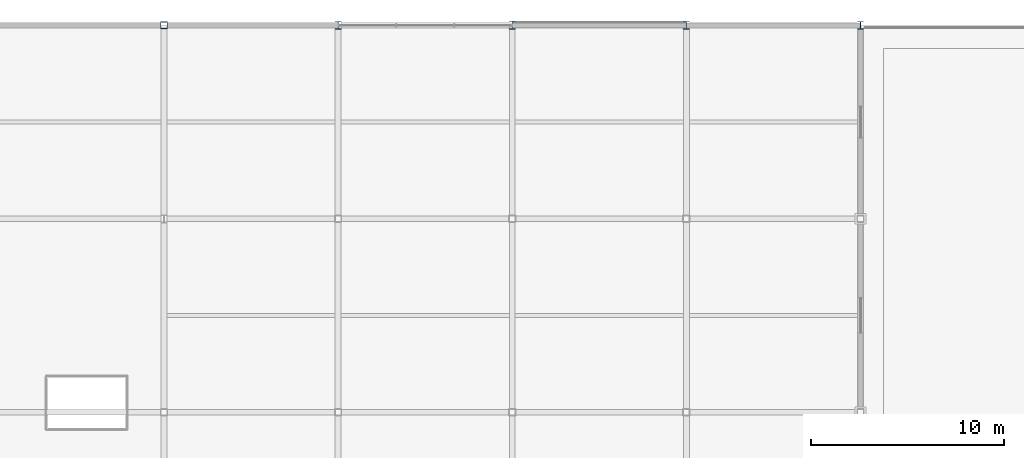
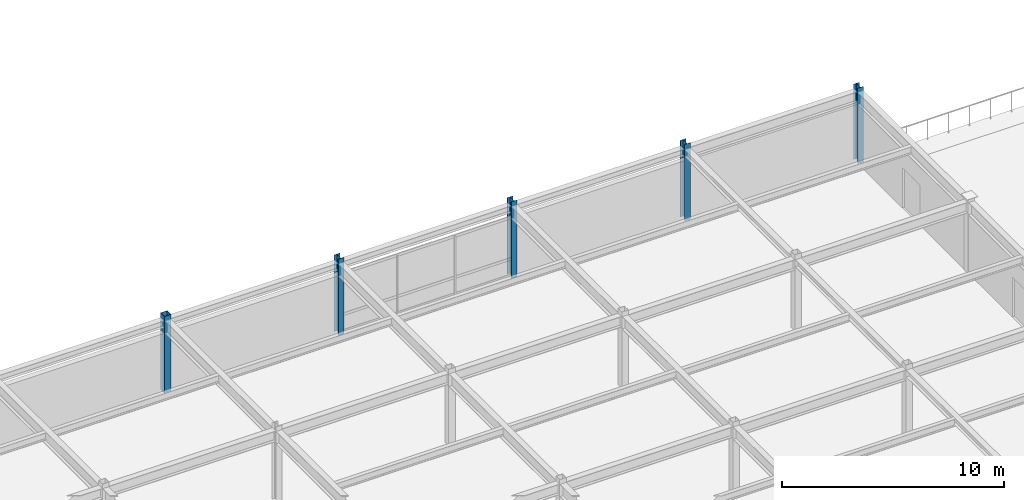
# One storey, part 10 of 53: 5 columns.
"""IFC4 building model written with IfcOpenShell, lengths in metres."""

from ifc_helpers import new_model, si_unit, direction, frame, origin, origin_2d, place, context, subcontext, project, spatial, hollow_rectangle, i_section, extrude, material, material_profile, profile_set, type_object, element, save


model = new_model("IFC4")

# Units and contexts
model_context = context("Model", 3, precision=1e-05, world=origin(), true_north=direction((0.0, 1.0)))
body_context = subcontext(model_context, "Body", "Model", "MODEL_VIEW")
ifc_project = project(units=[si_unit("LENGTHUNIT", "METRE"), si_unit("AREAUNIT", "SQUARE_METRE"), si_unit("VOLUMEUNIT", "CUBIC_METRE"), si_unit("PLANEANGLEUNIT", "RADIAN"), si_unit("MASSUNIT", "GRAM", prefix="KILO")], contexts=[model_context])

# Site, building, storey
site_placement = place(None, origin())
site = spatial("IfcSite", under=ifc_project, at=site_placement, CompositionType="ELEMENT")
building_placement = place(site_placement, origin())
building = spatial("IfcBuilding", under=site, at=building_placement, Name="Suzunagisa Mobility Hub", CompositionType="ELEMENT")
storey_placement = place(building_placement, frame((0.0, 0.0, 17.699951171875)))
storey = spatial("IfcBuildingStorey", under=building, at=storey_placement, Name="L04", CompositionType="ELEMENT", Elevation=17.699951171875)

# Columns
ifc_material = material(Name="Steel SN490B", Category="steel")
ifc_material_profile_1 = material_profile(ifc_material, hollow_rectangle(XDim=0.35009765625, YDim=0.35009765625, WallThickness=0.01611328125, at=origin_2d()), Name="BCR-350x350x16")
ifc_profile_set_1 = profile_set([ifc_material_profile_1], Name="Steel SN490B")
column_type_1 = type_object("IfcColumnType", Name="Steel Column CL-04 BCR-350x350x16", PredefinedType="COLUMN", material=ifc_profile_set_1)
column_1_placement = place(storey_placement, frame((72.0, 118.0, 0.0), z_axis=(0.0, 0.0, 1.0), x_axis=(1.0, 0.0, 0.0)))
element("IfcColumn", 1, at=column_1_placement, inside=storey, type_object=column_type_1, Name="L04 Column 158", PredefinedType="COLUMN", context=body_context, shape_type="SweptSolid", body=[
    extrude(hollow_rectangle(XDim=0.35009765625, YDim=0.35009765625, WallThickness=0.01611328125, at=origin_2d()), origin(), (0.0, 0.0, 1.0), 4.199951171875),
])
ifc_material_profile_2 = material_profile(ifc_material, i_section(OverallWidth=0.300048828125, OverallDepth=0.389892578125, WebThickness=0.010009765625, FlangeThickness=0.01611328125, FilletRadius=0.012939453125, at=origin_2d()), Name="H-390x300x10x16")
ifc_profile_set_2 = profile_set([ifc_material_profile_2], Name="Steel SN490B")
column_type_2 = type_object("IfcColumnType", Name="Steel Column CL-07 H-390x300x10x16", PredefinedType="COLUMN", material=ifc_profile_set_2)
for number, where, z_axis, x_axis, name in (
    (2, (81.0, 118.0, 0.0), (0.0, 0.0, 1.0), (1.0, 0.0, 0.0), "L04 Column 175"),
    (3, (90.0, 118.0, 0.0), (0.0, 0.0, 1.0), (1.0, 0.0, 0.0), "L04 Column 190"),
    (4, (99.0, 118.0, 0.0), (0.0, 0.0, 1.0), (1.0, 0.0, 0.0), "L04 Column 199"),
):
    element("IfcColumn", number, at=place(storey_placement, frame(where, z_axis=z_axis, x_axis=x_axis)), inside=storey, type_object=column_type_2, Name=name, PredefinedType="COLUMN", context=body_context, shape_type="SweptSolid", body=[
        extrude(i_section(OverallWidth=0.300048828125, OverallDepth=0.389892578125, WebThickness=0.010009765625, FlangeThickness=0.01611328125, FilletRadius=0.012939453125, at=origin_2d()), origin(), (0.0, 0.0, 1.0), 4.199951171875),
    ])
column_2_placement = place(storey_placement, frame((108.0, 118.0, 0.0), z_axis=(0.0, 0.0, 1.0), x_axis=(1.0, 0.0, 0.0)))
element("IfcColumn", 5, at=column_2_placement, inside=storey, type_object=column_type_2, Name="L04 Column 208", PredefinedType="COLUMN", context=body_context, shape_type="SweptSolid", body=[
    extrude(i_section(OverallWidth=0.300048828125, OverallDepth=0.389892578125, WebThickness=0.010009765625, FlangeThickness=0.01611328125, FilletRadius=0.012939453125, at=origin_2d()), origin(), (0.0, 0.0, 1.0), 4.14013671875),
])

save(model, "model.ifc")
